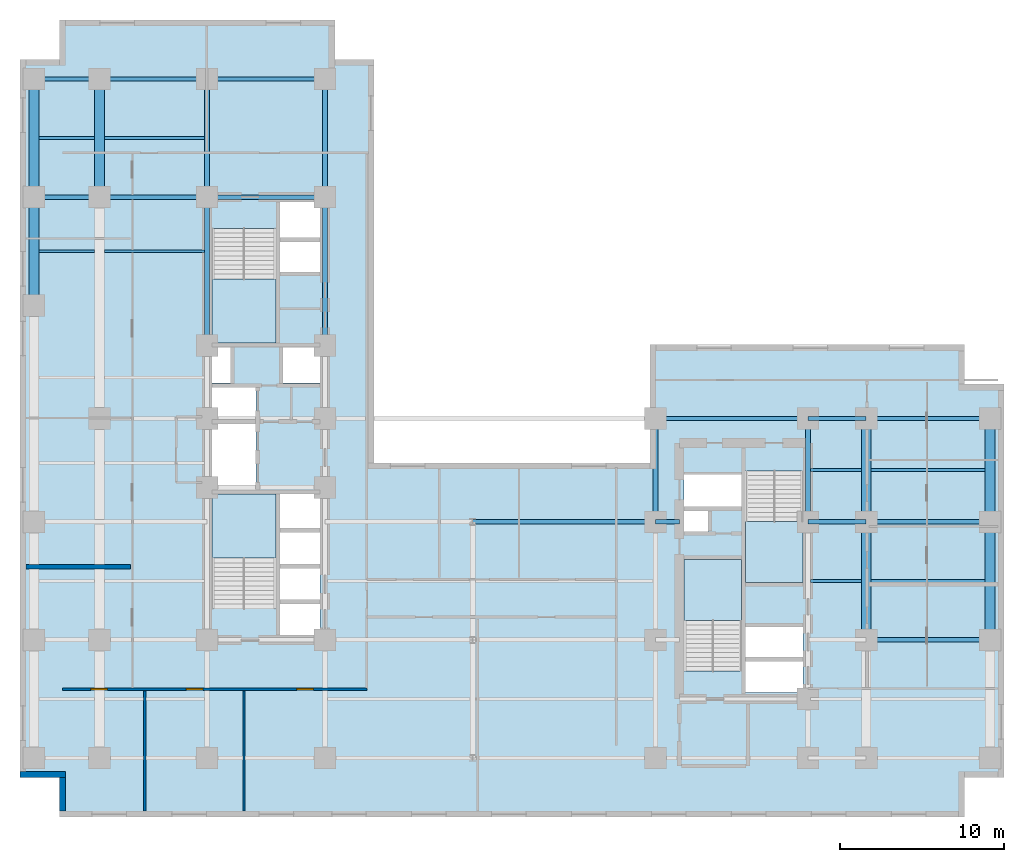
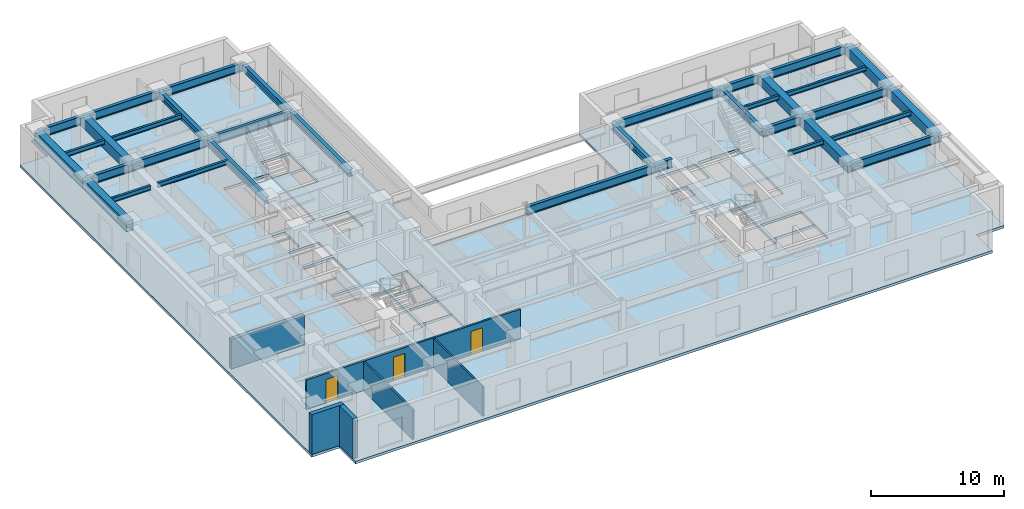
# One storey, part 2 of 10: 35 beams, 6 walls, 5 slabs, 3 doors, 3 openings, 4 elements without a shape of their own.
"""IFC4 building model written with IfcOpenShell, lengths in metres."""

from ifc_helpers import new_model, entity, si_unit, converted_unit, direction, frame, origin_with_axes, origin_2d_with_axis, place, context, subcontext, project, spatial, polyline, rectangle, i_section, outline, extrude, material, layer, layer_set, material_profile, profile_set, type_object, element, fill, aggregate, save


model = new_model("IFC4")

# Units and contexts
model_context = context("Model", 3, precision=1e-05, world=origin_with_axes(), true_north=direction((0.0, 1.0)))
body_context = subcontext(model_context, "Body", "Model", "MODEL_VIEW")
ifc_project = project(units=[si_unit("LENGTHUNIT", "METRE"), si_unit("AREAUNIT", "SQUARE_METRE"), si_unit("VOLUMEUNIT", "CUBIC_METRE"), converted_unit("PLANEANGLEUNIT", "DEGREE", entity("IfcPlaneAngleMeasure", 0.017453292519943295), si_unit("PLANEANGLEUNIT", "RADIAN"), dimensions=[0, 0, 0, 0, 0, 0, 0]), si_unit("MASSUNIT", "GRAM", prefix="KILO"), si_unit("THERMODYNAMICTEMPERATUREUNIT", "KELVIN")], contexts=[model_context])

# Site, building, storey
site_placement = place(None, origin_with_axes())
site = spatial("IfcSite", under=ifc_project, at=site_placement, CompositionType="ELEMENT")
building_placement = place(site_placement, origin_with_axes())
building = spatial("IfcBuilding", under=site, at=building_placement, Name="Varnlund Millrace Tower", CompositionType="ELEMENT")
storey_placement = place(building_placement, frame((0.0, 0.0, 48.3), z_axis=(0.0, 0.0, 1.0), x_axis=(1.0, 0.0, 0.0)))
storey = spatial("IfcBuildingStorey", under=building, at=storey_placement, Name="L11", CompositionType="ELEMENT", Elevation=48.3)

# Beams
ifc_material_1 = material(Name="Steel ASTM A992 Grade 50", Category="steel")
ifc_material_profile_1 = material_profile(ifc_material_1, i_section(OverallWidth=0.328, OverallDepth=0.628, WebThickness=0.0165, FlangeThickness=0.0277, FilletRadius=0.018, at=origin_2d_with_axis()), Name="Steel ASTM A992 Grade 50")
ifc_profile_set_1 = profile_set([ifc_material_profile_1], Name="Steel ASTM A992 Grade 50")
beam_type_1 = type_object("IfcBeamType", Name="Type-Girder-W24X146", PredefinedType="USERDEFINED", material=ifc_profile_set_1)
beam_1_placement = place(storey_placement, frame((11.4, 28.75, 3.346), z_axis=(0.0, 1.0, 0.0), x_axis=(-1.0, 0.0, 0.0)))
element("IfcBeam", 1, at=beam_1_placement, inside=storey, type_object=beam_type_1, Name="Type-Girder-W24X146", ObjectType="GIRDER", PredefinedType="USERDEFINED", context=body_context, shape_type="SweptSolid", body=[
    extrude(i_section(OverallWidth=0.328, OverallDepth=0.628, WebThickness=0.0165, FlangeThickness=0.0277, FilletRadius=0.018, at=origin_2d_with_axis()), origin_with_axes(), (0.0, 0.0, 1.0), 9.05),
])
beam_2_placement = place(storey_placement, frame((11.4, 37.8, 3.346), z_axis=(0.0, 1.0, 0.0), x_axis=(-1.0, 0.0, 0.0)))
element("IfcBeam", 2, at=beam_2_placement, inside=storey, type_object=beam_type_1, Name="Type-Girder-W24X146", ObjectType="GIRDER", PredefinedType="USERDEFINED", context=body_context, shape_type="SweptSolid", body=[
    extrude(i_section(OverallWidth=0.328, OverallDepth=0.628, WebThickness=0.0165, FlangeThickness=0.0277, FilletRadius=0.018, at=origin_2d_with_axis()), origin_with_axes(), (0.0, 0.0, 1.0), 7.2),
])
beam_3_placement = place(storey_placement, frame((18.6, 28.75, 3.346), z_axis=(0.0, 1.0, 0.0), x_axis=(-1.0, 0.0, 0.0)))
element("IfcBeam", 3, at=beam_3_placement, inside=storey, type_object=beam_type_1, Name="Type-Girder-W24X146", ObjectType="GIRDER", PredefinedType="USERDEFINED", context=body_context, shape_type="SweptSolid", body=[
    extrude(i_section(OverallWidth=0.328, OverallDepth=0.628, WebThickness=0.0165, FlangeThickness=0.0277, FilletRadius=0.018, at=origin_2d_with_axis()), origin_with_axes(), (0.0, 0.0, 1.0), 9.05),
])
beam_4_placement = place(storey_placement, frame((18.6, 37.8, 3.346), z_axis=(0.0, 1.0, 0.0), x_axis=(-1.0, 0.0, 0.0)))
element("IfcBeam", 4, at=beam_4_placement, inside=storey, type_object=beam_type_1, Name="Type-Girder-W24X146", ObjectType="GIRDER", PredefinedType="USERDEFINED", context=body_context, shape_type="SweptSolid", body=[
    extrude(i_section(OverallWidth=0.328, OverallDepth=0.628, WebThickness=0.0165, FlangeThickness=0.0277, FilletRadius=0.018, at=origin_2d_with_axis()), origin_with_axes(), (0.0, 0.0, 1.0), 7.2),
])
for number, where, z_axis, x_axis, name in (
    (5, (38.75, 18.0, 3.346), (0.0, 1.0, 0.0), (-1.0, 0.0, 0.0), "Type-Girder-W24X146"),
    (6, (48.05, 18.0, 3.346), (0.0, 1.0, 0.0), (-1.0, 0.0, 0.0), "Type-Girder-W24X146"),
):
    element("IfcBeam", number, at=place(storey_placement, frame(where, z_axis=z_axis, x_axis=x_axis)), inside=storey, type_object=beam_type_1, Name=name, ObjectType="GIRDER", PredefinedType="USERDEFINED", context=body_context, shape_type="SweptSolid", body=[
        extrude(i_section(OverallWidth=0.328, OverallDepth=0.628, WebThickness=0.0165, FlangeThickness=0.0277, FilletRadius=0.018, at=origin_2d_with_axis()), origin_with_axes(), (0.0, 0.0, 1.0), 6.3),
    ])
ifc_material_profile_2 = material_profile(ifc_material_1, i_section(OverallWidth=0.266, OverallDepth=0.779, WebThickness=0.0165, FlangeThickness=0.03, FilletRadius=0.02, at=origin_2d_with_axis()), Name="Steel ASTM A992 Grade 50")
ifc_profile_set_2 = profile_set([ifc_material_profile_2], Name="Steel ASTM A992 Grade 50")
beam_type_2 = type_object("IfcBeamType", Name="Type-Girder-W30X148", PredefinedType="USERDEFINED", material=ifc_profile_set_2)
beam_5_placement = place(storey_placement, frame((51.6, 10.8, 3.2705), z_axis=(1.0, 0.0, 0.0), x_axis=(0.0, 1.0, 0.0)))
element("IfcBeam", 7, at=beam_5_placement, inside=storey, type_object=beam_type_2, Name="Type-Girder-W30X148", ObjectType="GIRDER", PredefinedType="USERDEFINED", context=body_context, shape_type="SweptSolid", body=[
    extrude(i_section(OverallWidth=0.266, OverallDepth=0.779, WebThickness=0.0165, FlangeThickness=0.03, FilletRadius=0.02, at=origin_2d_with_axis()), origin_with_axes(), (0.0, 0.0, 1.0), 7.55),
])
beam_6_placement = place(storey_placement, frame((27.6, 18.0, 3.2705), z_axis=(1.0, 0.0, 0.0), x_axis=(0.0, 1.0, 0.0)))
element("IfcBeam", 8, at=beam_6_placement, inside=storey, type_object=beam_type_2, Name="Type-Girder-W30X148", ObjectType="GIRDER", PredefinedType="USERDEFINED", context=body_context, shape_type="SweptSolid", body=[
    extrude(i_section(OverallWidth=0.266, OverallDepth=0.779, WebThickness=0.0165, FlangeThickness=0.03, FilletRadius=0.02, at=origin_2d_with_axis()), origin_with_axes(), (0.0, 0.0, 1.0), 11.15),
])
beam_7_placement = place(storey_placement, frame((38.75, 18.0, 3.2705), z_axis=(1.0, 0.0, 0.0), x_axis=(0.0, 1.0, 0.0)))
element("IfcBeam", 9, at=beam_7_placement, inside=storey, type_object=beam_type_2, Name="Type-Girder-W30X148", ObjectType="GIRDER", PredefinedType="USERDEFINED", context=body_context, shape_type="SweptSolid", body=[
    extrude(i_section(OverallWidth=0.266, OverallDepth=0.779, WebThickness=0.0165, FlangeThickness=0.03, FilletRadius=0.02, at=origin_2d_with_axis()), origin_with_axes(), (0.0, 0.0, 1.0), 1.45),
])
beam_8_placement = place(storey_placement, frame((48.05, 18.0, 3.2705), z_axis=(1.0, 0.0, 0.0), x_axis=(0.0, 1.0, 0.0)))
element("IfcBeam", 10, at=beam_8_placement, inside=storey, type_object=beam_type_2, Name="Type-Girder-W30X148", ObjectType="GIRDER", PredefinedType="USERDEFINED", context=body_context, shape_type="SweptSolid", body=[
    extrude(i_section(OverallWidth=0.266, OverallDepth=0.779, WebThickness=0.0165, FlangeThickness=0.03, FilletRadius=0.02, at=origin_2d_with_axis()), origin_with_axes(), (0.0, 0.0, 1.0), 3.55),
])
beam_9_placement = place(storey_placement, frame((51.6, 18.0, 3.2705), z_axis=(1.0, 0.0, 0.0), x_axis=(0.0, 1.0, 0.0)))
element("IfcBeam", 11, at=beam_9_placement, inside=storey, type_object=beam_type_2, Name="Type-Girder-W30X148", ObjectType="GIRDER", PredefinedType="USERDEFINED", context=body_context, shape_type="SweptSolid", body=[
    extrude(i_section(OverallWidth=0.266, OverallDepth=0.779, WebThickness=0.0165, FlangeThickness=0.03, FilletRadius=0.02, at=origin_2d_with_axis()), origin_with_axes(), (0.0, 0.0, 1.0), 7.55),
])
beam_10_placement = place(storey_placement, frame((38.75, 24.3, 3.2705), z_axis=(1.0, 0.0, 0.0), x_axis=(0.0, 1.0, 0.0)))
element("IfcBeam", 12, at=beam_10_placement, inside=storey, type_object=beam_type_2, Name="Type-Girder-W30X148", ObjectType="GIRDER", PredefinedType="USERDEFINED", context=body_context, shape_type="SweptSolid", body=[
    extrude(i_section(OverallWidth=0.266, OverallDepth=0.779, WebThickness=0.0165, FlangeThickness=0.03, FilletRadius=0.02, at=origin_2d_with_axis()), origin_with_axes(), (0.0, 0.0, 1.0), 9.3),
])
beam_11_placement = place(storey_placement, frame((48.05, 24.3, 3.2705), z_axis=(1.0, 0.0, 0.0), x_axis=(0.0, 1.0, 0.0)))
element("IfcBeam", 13, at=beam_11_placement, inside=storey, type_object=beam_type_2, Name="Type-Girder-W30X148", ObjectType="GIRDER", PredefinedType="USERDEFINED", context=body_context, shape_type="SweptSolid", body=[
    extrude(i_section(OverallWidth=0.266, OverallDepth=0.779, WebThickness=0.0165, FlangeThickness=0.03, FilletRadius=0.02, at=origin_2d_with_axis()), origin_with_axes(), (0.0, 0.0, 1.0), 3.55),
])
beam_12_placement = place(storey_placement, frame((51.6, 24.3, 3.2705), z_axis=(1.0, 0.0, 0.0), x_axis=(0.0, 1.0, 0.0)))
element("IfcBeam", 14, at=beam_12_placement, inside=storey, type_object=beam_type_2, Name="Type-Girder-W30X148", ObjectType="GIRDER", PredefinedType="USERDEFINED", context=body_context, shape_type="SweptSolid", body=[
    extrude(i_section(OverallWidth=0.266, OverallDepth=0.779, WebThickness=0.0165, FlangeThickness=0.03, FilletRadius=0.02, at=origin_2d_with_axis()), origin_with_axes(), (0.0, 0.0, 1.0), 7.55),
])
beam_13_placement = place(storey_placement, frame((0.85, 37.8, 3.2705), z_axis=(1.0, 0.0, 0.0), x_axis=(0.0, 1.0, 0.0)))
element("IfcBeam", 15, at=beam_13_placement, inside=storey, type_object=beam_type_2, Name="Type-Girder-W30X148", ObjectType="GIRDER", PredefinedType="USERDEFINED", context=body_context, shape_type="SweptSolid", body=[
    extrude(i_section(OverallWidth=0.266, OverallDepth=0.779, WebThickness=0.0165, FlangeThickness=0.03, FilletRadius=0.02, at=origin_2d_with_axis()), origin_with_axes(), (0.0, 0.0, 1.0), 4.0),
])
beam_14_placement = place(storey_placement, frame((4.85, 37.8, 3.2705), z_axis=(1.0, 0.0, 0.0), x_axis=(0.0, 1.0, 0.0)))
element("IfcBeam", 16, at=beam_14_placement, inside=storey, type_object=beam_type_2, Name="Type-Girder-W30X148", ObjectType="GIRDER", PredefinedType="USERDEFINED", context=body_context, shape_type="SweptSolid", body=[
    extrude(i_section(OverallWidth=0.266, OverallDepth=0.779, WebThickness=0.0165, FlangeThickness=0.03, FilletRadius=0.02, at=origin_2d_with_axis()), origin_with_axes(), (0.0, 0.0, 1.0), 6.55),
])
beam_15_placement = place(storey_placement, frame((11.4, 37.8, 3.2705), z_axis=(1.0, 0.0, 0.0), x_axis=(0.0, 1.0, 0.0)))
element("IfcBeam", 17, at=beam_15_placement, inside=storey, type_object=beam_type_2, Name="Type-Girder-W30X148", ObjectType="GIRDER", PredefinedType="USERDEFINED", context=body_context, shape_type="SweptSolid", body=[
    extrude(i_section(OverallWidth=0.266, OverallDepth=0.779, WebThickness=0.0165, FlangeThickness=0.03, FilletRadius=0.02, at=origin_2d_with_axis()), origin_with_axes(), (0.0, 0.0, 1.0), 7.2),
])
beam_16_placement = place(storey_placement, frame((0.85, 45.0, 3.2705), z_axis=(1.0, 0.0, 0.0), x_axis=(0.0, 1.0, 0.0)))
element("IfcBeam", 18, at=beam_16_placement, inside=storey, type_object=beam_type_2, Name="Type-Girder-W30X148", ObjectType="GIRDER", PredefinedType="USERDEFINED", context=body_context, shape_type="SweptSolid", body=[
    extrude(i_section(OverallWidth=0.266, OverallDepth=0.779, WebThickness=0.0165, FlangeThickness=0.03, FilletRadius=0.02, at=origin_2d_with_axis()), origin_with_axes(), (0.0, 0.0, 1.0), 4.0),
])
beam_17_placement = place(storey_placement, frame((4.85, 45.0, 3.2705), z_axis=(1.0, 0.0, 0.0), x_axis=(0.0, 1.0, 0.0)))
element("IfcBeam", 19, at=beam_17_placement, inside=storey, type_object=beam_type_2, Name="Type-Girder-W30X148", ObjectType="GIRDER", PredefinedType="USERDEFINED", context=body_context, shape_type="SweptSolid", body=[
    extrude(i_section(OverallWidth=0.266, OverallDepth=0.779, WebThickness=0.0165, FlangeThickness=0.03, FilletRadius=0.02, at=origin_2d_with_axis()), origin_with_axes(), (0.0, 0.0, 1.0), 6.55),
])
beam_18_placement = place(storey_placement, frame((11.4, 45.0, 3.2705), z_axis=(1.0, 0.0, 0.0), x_axis=(0.0, 1.0, 0.0)))
element("IfcBeam", 20, at=beam_18_placement, inside=storey, type_object=beam_type_2, Name="Type-Girder-W30X148", ObjectType="GIRDER", PredefinedType="USERDEFINED", context=body_context, shape_type="SweptSolid", body=[
    extrude(i_section(OverallWidth=0.266, OverallDepth=0.779, WebThickness=0.0165, FlangeThickness=0.03, FilletRadius=0.02, at=origin_2d_with_axis()), origin_with_axes(), (0.0, 0.0, 1.0), 7.2),
])
ifc_material_profile_3 = material_profile(ifc_material_1, i_section(OverallWidth=0.181, OverallDepth=0.417, WebThickness=0.0109, FlangeThickness=0.0182, FilletRadius=0.013, at=origin_2d_with_axis()), Name="Steel ASTM A992 Grade 50")
ifc_profile_set_3 = profile_set([ifc_material_profile_3], Name="Steel ASTM A992 Grade 50")
beam_type_3 = type_object("IfcBeamType", Name="Type-Joist-W16X57", PredefinedType="JOIST", material=ifc_profile_set_3)
for number, where, z_axis, x_axis, name in (
    (21, (1.15, 34.5, 3.4515), (1.0, 0.0, 0.0), (0.0, 1.0, 0.0), "Type-Joist-W16X57"),
    (22, (1.15, 41.4, 3.4515), (1.0, 0.0, 0.0), (0.0, 1.0, 0.0), "Type-Joist-W16X57"),
):
    element("IfcBeam", number, at=place(storey_placement, frame(where, z_axis=z_axis, x_axis=x_axis)), inside=storey, type_object=beam_type_3, Name=name, PredefinedType="JOIST", context=body_context, shape_type="SweptSolid", body=[
        extrude(i_section(OverallWidth=0.181, OverallDepth=0.417, WebThickness=0.0109, FlangeThickness=0.0182, FilletRadius=0.013, at=origin_2d_with_axis()), origin_with_axes(), (0.0, 0.0, 1.0), 3.4),
    ])
for number, where, z_axis, x_axis, name in (
    (23, (5.15, 34.5, 3.4515), (1.0, 0.0, 0.0), (0.0, 1.0, 0.0), "Type-Joist-W16X57"),
    (24, (5.15, 41.4, 3.4515), (1.0, 0.0, 0.0), (0.0, 1.0, 0.0), "Type-Joist-W16X57"),
):
    element("IfcBeam", number, at=place(storey_placement, frame(where, z_axis=z_axis, x_axis=x_axis)), inside=storey, type_object=beam_type_3, Name=name, PredefinedType="JOIST", context=body_context, shape_type="SweptSolid", body=[
        extrude(i_section(OverallWidth=0.181, OverallDepth=0.417, WebThickness=0.0109, FlangeThickness=0.0182, FilletRadius=0.013, at=origin_2d_with_axis()), origin_with_axes(), (0.0, 0.0, 1.0), 6.086),
    ])
for number, where, z_axis, x_axis, name in (
    (25, (48.214, 14.4, 3.4515), (1.0, 0.0, 0.0), (0.0, 1.0, 0.0), "Type-Joist-W16X57"),
    (26, (48.214, 21.15, 3.4515), (1.0, 0.0, 0.0), (0.0, 1.0, 0.0), "Type-Joist-W16X57"),
):
    element("IfcBeam", number, at=place(storey_placement, frame(where, z_axis=z_axis, x_axis=x_axis)), inside=storey, type_object=beam_type_3, Name=name, PredefinedType="JOIST", context=body_context, shape_type="SweptSolid", body=[
        extrude(i_section(OverallWidth=0.181, OverallDepth=0.417, WebThickness=0.0109, FlangeThickness=0.0182, FilletRadius=0.013, at=origin_2d_with_axis()), origin_with_axes(), (0.0, 0.0, 1.0), 3.086),
    ])
for number, where, z_axis, x_axis, name in (
    (27, (51.9, 14.4, 3.4515), (1.0, 0.0, 0.0), (0.0, 1.0, 0.0), "Type-Joist-W16X57"),
    (28, (51.9, 21.15, 3.4515), (1.0, 0.0, 0.0), (0.0, 1.0, 0.0), "Type-Joist-W16X57"),
):
    element("IfcBeam", number, at=place(storey_placement, frame(where, z_axis=z_axis, x_axis=x_axis)), inside=storey, type_object=beam_type_3, Name=name, PredefinedType="JOIST", context=body_context, shape_type="SweptSolid", body=[
        extrude(i_section(OverallWidth=0.181, OverallDepth=0.417, WebThickness=0.0109, FlangeThickness=0.0182, FilletRadius=0.013, at=origin_2d_with_axis()), origin_with_axes(), (0.0, 0.0, 1.0), 6.95),
    ])
ifc_material_2 = material(Name="Concrete C70/85", Category="concrete")
ifc_material_profile_4 = material_profile(ifc_material_2, rectangle(XDim=0.6, YDim=0.9, at=origin_2d_with_axis()), Name="Concrete C70/85")
ifc_profile_set_4 = profile_set([ifc_material_profile_4], Name="Concrete C70/85")
beam_type_4 = type_object("IfcBeamType", Name="Type-Spandrel-RC600X900", PredefinedType="SPANDREL", material=ifc_profile_set_4)
beam_19_placement = place(storey_placement, frame((0.85, 31.2, 3.21), z_axis=(0.0, 1.0, 0.0), x_axis=(-1.0, 0.0, 0.0)))
element("IfcBeam", 29, at=beam_19_placement, inside=storey, type_object=beam_type_4, Name="Type-Spandrel-RC600X900", PredefinedType="SPANDREL", context=body_context, shape_type="SweptSolid", body=[
    extrude(rectangle(XDim=0.6, YDim=0.9, at=origin_2d_with_axis()), origin_with_axes(), (0.0, 0.0, 1.0), 6.6),
])
for number, where, z_axis, x_axis, name in (
    (30, (0.85, 37.8, 3.21), (0.0, 1.0, 0.0), (-1.0, 0.0, 0.0), "Type-Spandrel-RC600X900"),
    (31, (4.85, 37.8, 3.21), (0.0, 1.0, 0.0), (-1.0, 0.0, 0.0), "Type-Spandrel-RC600X900"),
    (32, (51.6, 10.8, 3.21), (0.0, 1.0, 0.0), (-1.0, 0.0, 0.0), "Type-Spandrel-RC600X900"),
):
    element("IfcBeam", number, at=place(storey_placement, frame(where, z_axis=z_axis, x_axis=x_axis)), inside=storey, type_object=beam_type_4, Name=name, PredefinedType="SPANDREL", context=body_context, shape_type="SweptSolid", body=[
        extrude(rectangle(XDim=0.6, YDim=0.9, at=origin_2d_with_axis()), origin_with_axes(), (0.0, 0.0, 1.0), 7.2),
    ])
beam_20_placement = place(storey_placement, frame((51.6, 18.0, 3.21), z_axis=(0.0, 1.0, 0.0), x_axis=(-1.0, 0.0, 0.0)))
element("IfcBeam", 33, at=beam_20_placement, inside=storey, type_object=beam_type_4, Name="Type-Spandrel-RC600X900", PredefinedType="SPANDREL", context=body_context, shape_type="SweptSolid", body=[
    extrude(rectangle(XDim=0.6, YDim=0.9, at=origin_2d_with_axis()), origin_with_axes(), (0.0, 0.0, 1.0), 6.3),
])
beam_21_placement = place(storey_placement, frame((59.15, 10.8, 3.21), z_axis=(0.0, 1.0, 0.0), x_axis=(-1.0, 0.0, 0.0)))
element("IfcBeam", 34, at=beam_21_placement, inside=storey, type_object=beam_type_4, Name="Type-Spandrel-RC600X900", PredefinedType="SPANDREL", context=body_context, shape_type="SweptSolid", body=[
    extrude(rectangle(XDim=0.6, YDim=0.9, at=origin_2d_with_axis()), origin_with_axes(), (0.0, 0.0, 1.0), 7.2),
])
beam_22_placement = place(storey_placement, frame((59.15, 18.0, 3.21), z_axis=(0.0, 1.0, 0.0), x_axis=(-1.0, 0.0, 0.0)))
element("IfcBeam", 35, at=beam_22_placement, inside=storey, type_object=beam_type_4, Name="Type-Spandrel-RC600X900", PredefinedType="SPANDREL", context=body_context, shape_type="SweptSolid", body=[
    extrude(rectangle(XDim=0.6, YDim=0.9, at=origin_2d_with_axis()), origin_with_axes(), (0.0, 0.0, 1.0), 6.3),
])

# Slab
ifc_material_3 = material(Name="Concrete C60/75", Category="concrete")
ifc_layer_1 = layer(ifc_material_3, 0.24, Name="Concrete C60/75")
ifc_layer_set_1 = layer_set([ifc_layer_1], Name="Concrete C60/75")
slab_type_1 = type_object("IfcSlabType", Name="Type-Deck-Plate-Typical-240", PredefinedType="FLOOR", material=ifc_layer_set_1)
slab_1_placement = place(storey_placement, frame((0.0, 0.0, -0.24), z_axis=(0.0, 0.0, 1.0), x_axis=(1.0, 0.0, 0.0)))
element("IfcSlab", 36, at=slab_1_placement, inside=storey, type_object=slab_type_1, Name="Type-Deck-Plate-Typical-240", PredefinedType="FLOOR", context=body_context, shape_type="SweptSolid", body=[
    extrude(outline(polyline([(21.6, 21.6), (21.6, 46.2), (19.2, 46.2), (19.2, 48.6), (2.4, 48.6), (2.4, 46.2), (0.0, 46.2), (0.0, 2.4), (2.4, 2.4), (2.4, 0.0), (57.6, 0.0), (57.6, 2.4), (60.0, 2.4), (60.0, 26.4), (57.6, 26.4), (57.6, 28.8), (38.4, 28.8), (38.4, 21.6), (21.6, 21.6)]), holes=[polyline([(18.3, 11.1), (15.84, 11.1), (15.84, 13.1), (18.3, 13.1), (18.3, 11.1)]), polyline([(18.3, 13.16), (15.84, 13.16), (15.84, 15.24), (18.3, 15.24), (18.3, 13.16)]), polyline([(15.6, 12.715), (11.7, 12.715), (11.7, 19.7), (15.6, 19.7), (15.6, 12.715)]), polyline([(18.3, 15.34), (15.84, 15.34), (15.84, 17.46), (18.3, 17.46), (18.3, 15.34)]), polyline([(18.3, 17.52), (15.84, 17.52), (15.84, 19.7), (18.3, 19.7), (18.3, 17.52)]), polyline([(14.38, 23.98), (14.38, 19.94), (11.7, 19.94), (11.7, 23.98), (14.38, 23.98)]), polyline([(11.7, 24.24), (11.7, 26.2), (14.38, 26.2), (14.38, 24.24), (11.7, 24.24)]), polyline([(11.7, 26.46), (11.7, 28.65), (12.84, 28.65), (12.84, 26.46), (11.7, 26.46)]), polyline([(15.6, 28.9), (11.7, 28.9), (11.7, 35.885), (15.6, 35.885), (15.6, 28.9)]), polyline([(47.75, 7.6), (44.25, 7.6), (44.25, 9.6), (47.75, 9.6), (47.75, 7.6)]), polyline([(47.75, 9.66), (44.25, 9.66), (44.25, 11.68), (47.75, 11.68), (47.75, 9.66)]), polyline([(40.5, 8.915), (40.5, 15.7), (44.0, 15.7), (44.0, 8.915), (40.5, 8.915)]), polyline([(44.25, 14.3), (44.25, 21.085), (47.75, 21.085), (47.75, 14.3), (44.25, 14.3)]), polyline([(41.95, 17.42), (40.5, 17.42), (40.5, 18.72), (41.95, 18.72), (41.95, 17.42)]), polyline([(44.0, 18.88), (40.5, 18.88), (40.5, 20.94), (44.0, 20.94), (44.0, 18.88)]), polyline([(18.3, 26.46), (16.04, 26.46), (16.04, 28.65), (18.3, 28.65), (18.3, 26.46)]), polyline([(15.84, 33.12), (15.84, 35.18), (18.3, 35.18), (18.3, 33.12), (15.84, 33.12)]), polyline([(15.84, 35.22), (15.84, 37.5), (18.3, 37.5), (18.3, 35.22), (15.84, 35.22)])]), origin_with_axes(), (0.0, 0.0, 1.0), 0.24),
])

# Stair, slab
ifc_material_4 = material(Name="Concrete C50/60", Category="concrete")
stair_type_1 = type_object("IfcStairType", Name="Type-Stair-Dogleg-185-390", PredefinedType="HALF_TURN_STAIR", material=ifc_material_4)
stair_1_placement = place(storey_placement, origin_with_axes())
stair_1 = element("IfcStair", 37, at=stair_1_placement, inside=storey, type_object=stair_type_1, Name="Type-Stair-Dogleg-185-390", PredefinedType="HALF_TURN_STAIR")
ifc_layer_2 = layer(ifc_material_4, 0.2, Name="Concrete C50/60")
ifc_layer_set_2 = layer_set([ifc_layer_2], Name="Concrete C50/60")
slab_type_2 = type_object("IfcSlabType", Name="Type-StairLanding-200", PredefinedType="LANDING", material=ifc_layer_set_2)
slab_2_placement = place(storey_placement, frame((0.0, 0.0, 1.75), z_axis=(0.0, 0.0, 1.0), x_axis=(1.0, 0.0, 0.0)))
slab_2 = element("IfcSlab", 38, at=slab_2_placement, type_object=slab_type_2, Name="ST-A1 landing 1", PredefinedType="LANDING", context=body_context, shape_type="SweptSolid", body=[
    extrude(outline(polyline([(15.6, 15.78), (15.6, 19.7), (11.7, 19.7), (11.7, 15.78), (15.6, 15.78)])), origin_with_axes(), (0.0, 0.0, 1.0), 0.2),
])
aggregate(stair_1, [slab_2])

stair_2_placement = place(storey_placement, origin_with_axes())
stair_2 = element("IfcStair", 39, at=stair_2_placement, inside=storey, type_object=stair_type_1, Name="Type-Stair-Dogleg-185-390", PredefinedType="HALF_TURN_STAIR")
slab_3_placement = place(storey_placement, frame((0.0, 0.0, 1.75), z_axis=(0.0, 0.0, 1.0), x_axis=(1.0, 0.0, 0.0)))
slab_3 = element("IfcSlab", 40, at=slab_3_placement, type_object=slab_type_2, Name="ST-A2 landing 1", PredefinedType="LANDING", context=body_context, shape_type="SweptSolid", body=[
    extrude(outline(polyline([(11.7, 32.82), (11.7, 28.9), (15.6, 28.9), (15.6, 32.82), (11.7, 32.82)])), origin_with_axes(), (0.0, 0.0, 1.0), 0.2),
])
aggregate(stair_2, [slab_3])

stair_type_2 = type_object("IfcStairType", Name="Type-Stair-Dogleg-165-390", PredefinedType="HALF_TURN_STAIR", material=ifc_material_4)
stair_3_placement = place(storey_placement, origin_with_axes())
stair_3 = element("IfcStair", 41, at=stair_3_placement, inside=storey, type_object=stair_type_2, Name="Type-Stair-Dogleg-165-390", PredefinedType="HALF_TURN_STAIR")
slab_4_placement = place(storey_placement, frame((0.0, 0.0, 1.75), z_axis=(0.0, 0.0, 1.0), x_axis=(1.0, 0.0, 0.0)))
slab_4 = element("IfcSlab", 42, at=slab_4_placement, type_object=slab_type_2, Name="ST-B1 landing 1", PredefinedType="LANDING", context=body_context, shape_type="SweptSolid", body=[
    extrude(outline(polyline([(44.0, 11.98), (44.0, 15.7), (40.5, 15.7), (40.5, 11.98), (44.0, 11.98)])), origin_with_axes(), (0.0, 0.0, 1.0), 0.2),
])
aggregate(stair_3, [slab_4])

stair_4_placement = place(storey_placement, origin_with_axes())
stair_4 = element("IfcStair", 43, at=stair_4_placement, inside=storey, type_object=stair_type_2, Name="Type-Stair-Dogleg-165-390", PredefinedType="HALF_TURN_STAIR")
slab_5_placement = place(storey_placement, frame((0.0, 0.0, 1.75), z_axis=(0.0, 0.0, 1.0), x_axis=(1.0, 0.0, 0.0)))
slab_5 = element("IfcSlab", 44, at=slab_5_placement, type_object=slab_type_2, Name="ST-B2 landing 1", PredefinedType="LANDING", context=body_context, shape_type="SweptSolid", body=[
    extrude(outline(polyline([(44.25, 18.02), (44.25, 14.3), (47.75, 14.3), (47.75, 18.02), (44.25, 18.02)])), origin_with_axes(), (0.0, 0.0, 1.0), 0.2),
])
aggregate(stair_4, [slab_5])

# Walls
ifc_material_5 = material(Name="Precast concrete C50/60", Category="concrete")
ifc_layer_3 = layer(ifc_material_5, 0.38, Name="Precast concrete C50/60")
ifc_layer_set_3 = layer_set([ifc_layer_3], Name="Precast concrete C50/60")
wall_type_1 = type_object("IfcWallType", Name="Type-ExtWall-Precast-Tube-380", PredefinedType="SOLIDWALL", material=ifc_layer_set_3)
wall_1_placement = place(storey_placement, frame((2.59, 0.38, 0.0), z_axis=(0.0, 0.0, 1.0), x_axis=(0.0, 1.0, 0.0)))
element("IfcWall", 45, at=wall_1_placement, inside=storey, type_object=wall_type_1, Name="Type-ExtWall-Precast-Tube-380", PredefinedType="SOLIDWALL", context=body_context, shape_type="SweptSolid", body=[
    extrude(outline(polyline([(0.0, -0.19), (2.02, -0.19), (2.02, 0.19), (0.0, 0.19), (0.0, -0.19)])), origin_with_axes(), (0.0, 0.0, 1.0), 3.66),
])
wall_2_placement = place(storey_placement, frame((2.78, 2.59, 0.0), z_axis=(0.0, 0.0, 1.0), x_axis=(-1.0, 0.0, 0.0)))
element("IfcWall", 46, at=wall_2_placement, inside=storey, type_object=wall_type_1, Name="Type-ExtWall-Precast-Tube-380", PredefinedType="SOLIDWALL", context=body_context, shape_type="SweptSolid", body=[
    extrude(outline(polyline([(0.0, -0.19), (2.78, -0.19), (2.78, 0.19), (0.0, 0.19), (0.0, -0.19)])), origin_with_axes(), (0.0, 0.0, 1.0), 3.66),
])
ifc_material_6 = material(Name="Double-stud STC-60 conference acoustic partition", Category="gypsum")
ifc_layer_4 = layer(ifc_material_6, 0.28, Name="Double-stud STC-60 conference acoustic partition")
ifc_layer_set_4 = layer_set([ifc_layer_4], Name="Double-stud STC-60 conference acoustic partition")
wall_type_2 = type_object("IfcWallType", Name="Type-Partition-Acoustic-280", PredefinedType="PARTITIONING", material=ifc_layer_set_4)
wall_3_placement = place(storey_placement, frame((0.375, 15.263, 0.0), z_axis=(0.0, 0.0, 1.0), x_axis=(1.0, 0.0, 0.0)))
element("IfcWall", 47, at=wall_3_placement, inside=storey, type_object=wall_type_2, Name="Type-Partition-Acoustic-280", PredefinedType="PARTITIONING", context=body_context, shape_type="SweptSolid", body=[
    extrude(outline(polyline([(0.0, -0.14), (6.355, -0.14), (6.355, 0.14), (0.0, 0.14), (0.0, -0.14)])), origin_with_axes(), (0.0, 0.0, 1.0), 2.7),
])

# Wall, openings, doors
ifc_material_7 = material(Name="Fire-rated gypsum board on cold-formed steel framing", Category="steel")
ifc_layer_5 = layer(ifc_material_7, 0.16, Name="Fire-rated gypsum board on cold-formed steel framing")
ifc_layer_set_5 = layer_set([ifc_layer_5], Name="Fire-rated gypsum board on cold-formed steel framing")
wall_type_3 = type_object("IfcWallType", Name="Type-Partition-Corridor-160", PredefinedType="PARTITIONING", material=ifc_layer_set_5)
wall_4_placement = place(storey_placement, frame((2.6, 7.8, 0.0), z_axis=(0.0, 0.0, 1.0), x_axis=(1.0, 0.0, 0.0)))
wall_4 = element("IfcWall", 48, at=wall_4_placement, inside=storey, type_object=wall_type_3, Name="Type-Partition-Corridor-160", PredefinedType="PARTITIONING", context=body_context, shape_type="SweptSolid", body=[
    extrude(outline(polyline([(0.0, -0.08), (18.55, -0.08), (18.55, 0.08), (0.0, 0.08), (0.0, -0.08)])), origin_with_axes(), (0.0, 0.0, 1.0), 2.7),
])
opening_1_placement = place(wall_4_placement, frame((2.225, 0.0, 0.0), z_axis=(0.0, 0.0, 1.0), x_axis=(1.0, 0.0, 0.0)))
opening_1 = element("IfcOpeningElement", 49, at=opening_1_placement, cuts=wall_4, Name="Opening L11:DR-WAS-01", PredefinedType="OPENING", context=body_context, shape_type="SweptSolid", body=[
    extrude(rectangle(XDim=1.0, YDim=0.18, at=origin_2d_with_axis()), origin_with_axes(), (0.0, 0.0, 1.0), 2.15),
])
opening_2_placement = place(wall_4_placement, frame((8.0435, 0.0, 0.0), z_axis=(0.0, 0.0, 1.0), x_axis=(1.0, 0.0, 0.0)))
opening_2 = element("IfcOpeningElement", 50, at=opening_2_placement, cuts=wall_4, Name="Opening L11:DR-WAS-02", PredefinedType="OPENING", context=body_context, shape_type="SweptSolid", body=[
    extrude(rectangle(XDim=1.0, YDim=0.18, at=origin_2d_with_axis()), origin_with_axes(), (0.0, 0.0, 1.0), 2.15),
])
opening_3_placement = place(wall_4_placement, frame((14.784, 0.0, 0.0), z_axis=(0.0, 0.0, 1.0), x_axis=(1.0, 0.0, 0.0)))
opening_3 = element("IfcOpeningElement", 51, at=opening_3_placement, cuts=wall_4, Name="Opening L11:DR-WAS-03", PredefinedType="OPENING", context=body_context, shape_type="SweptSolid", body=[
    extrude(rectangle(XDim=1.0, YDim=0.18, at=origin_2d_with_axis()), origin_with_axes(), (0.0, 0.0, 1.0), 2.15),
])
ifc_material_8 = material(Name="Solid-core white oak and bronze frame door")
door_type = type_object("IfcDoorType", Name="Type-IntDoor-Office-1000X2150", OperationType="NOTDEFINED", PredefinedType="DOOR", material=ifc_material_8)
door_1_placement = place(wall_4_placement, frame((2.225, 0.0, 0.0), z_axis=(0.0, 0.0, 1.0), x_axis=(1.0, 0.0, 0.0)))
door_1 = element("IfcDoor", 52, at=door_1_placement, inside=storey, type_object=door_type, Name="Type-IntDoor-Office-1000X2150", OperationType="SINGLE_SWING_LEFT", OverallHeight=2.15, OverallWidth=1.0, PredefinedType="DOOR", context=body_context, shape_type="SweptSolid", body=[
    extrude(rectangle(XDim=1.0, YDim=0.09, at=origin_2d_with_axis()), origin_with_axes(), (0.0, 0.0, 1.0), 2.15),
])
fill(opening_1, door_1)
door_2_placement = place(wall_4_placement, frame((8.0435, 0.0, 0.0), z_axis=(0.0, 0.0, 1.0), x_axis=(1.0, 0.0, 0.0)))
door_2 = element("IfcDoor", 53, at=door_2_placement, inside=storey, type_object=door_type, Name="Type-IntDoor-Office-1000X2150", OperationType="SINGLE_SWING_RIGHT", OverallHeight=2.15, OverallWidth=1.0, PredefinedType="DOOR", context=body_context, shape_type="SweptSolid", body=[
    extrude(rectangle(XDim=1.0, YDim=0.09, at=origin_2d_with_axis()), origin_with_axes(), (0.0, 0.0, 1.0), 2.15),
])
fill(opening_2, door_2)
door_3_placement = place(wall_4_placement, frame((14.784, 0.0, 0.0), z_axis=(0.0, 0.0, 1.0), x_axis=(1.0, 0.0, 0.0)))
door_3 = element("IfcDoor", 54, at=door_3_placement, inside=storey, type_object=door_type, Name="Type-IntDoor-Office-1000X2150", OperationType="SINGLE_SWING_LEFT", OverallHeight=2.15, OverallWidth=1.0, PredefinedType="DOOR", context=body_context, shape_type="SweptSolid", body=[
    extrude(rectangle(XDim=1.0, YDim=0.09, at=origin_2d_with_axis()), origin_with_axes(), (0.0, 0.0, 1.0), 2.15),
])
fill(opening_3, door_3)

# Walls
ifc_material_9 = material(Name="Acoustic STC-50 gypsum board partition", Category="gypsum")
ifc_layer_6 = layer(ifc_material_9, 0.15, Name="Acoustic STC-50 gypsum board partition")
ifc_layer_set_6 = layer_set([ifc_layer_6], Name="Acoustic STC-50 gypsum board partition")
wall_type_4 = type_object("IfcWallType", Name="Type-Partition-Demising-150", PredefinedType="PARTITIONING", material=ifc_layer_set_6)
wall_5_placement = place(storey_placement, frame((7.619, 0.36, 0.0), z_axis=(0.0, 0.0, 1.0), x_axis=(0.0, 1.0, 0.0)))
element("IfcWall", 55, at=wall_5_placement, inside=storey, type_object=wall_type_4, Name="Type-Partition-Demising-150", PredefinedType="PARTITIONING", context=body_context, shape_type="SweptSolid", body=[
    extrude(outline(polyline([(0.0, -0.075), (7.34, -0.075), (7.34, 0.075), (0.0, 0.075), (0.0, -0.075)])), origin_with_axes(), (0.0, 0.0, 1.0), 2.7),
])
ifc_material_10 = material(Name="Gypsum board tenant partition", Category="gypsum")
ifc_layer_7 = layer(ifc_material_10, 0.125, Name="Gypsum board tenant partition")
ifc_layer_set_7 = layer_set([ifc_layer_7], Name="Gypsum board tenant partition")
wall_type_5 = type_object("IfcWallType", Name="Type-Partition-Tenant-125", PredefinedType="PARTITIONING", material=ifc_layer_set_7)
wall_6_placement = place(storey_placement, frame((13.668, 0.36, 0.0), z_axis=(0.0, 0.0, 1.0), x_axis=(0.0, 1.0, 0.0)))
element("IfcWall", 56, at=wall_6_placement, inside=storey, type_object=wall_type_5, Name="Type-Partition-Tenant-125", PredefinedType="PARTITIONING", context=body_context, shape_type="SweptSolid", body=[
    extrude(outline(polyline([(0.0, -0.0625), (7.34, -0.0625), (7.34, 0.0625), (0.0, 0.0625), (0.0, -0.0625)])), origin_with_axes(), (0.0, 0.0, 1.0), 2.7),
])

save(model, "model.ifc")
